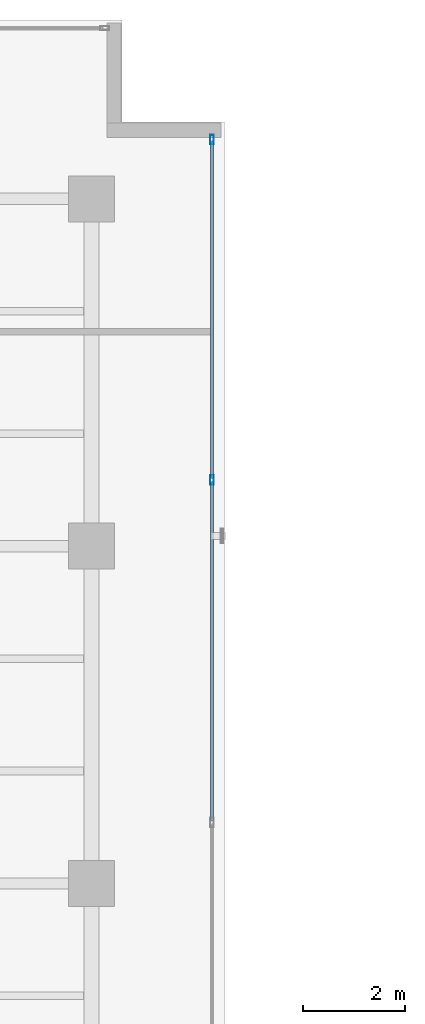
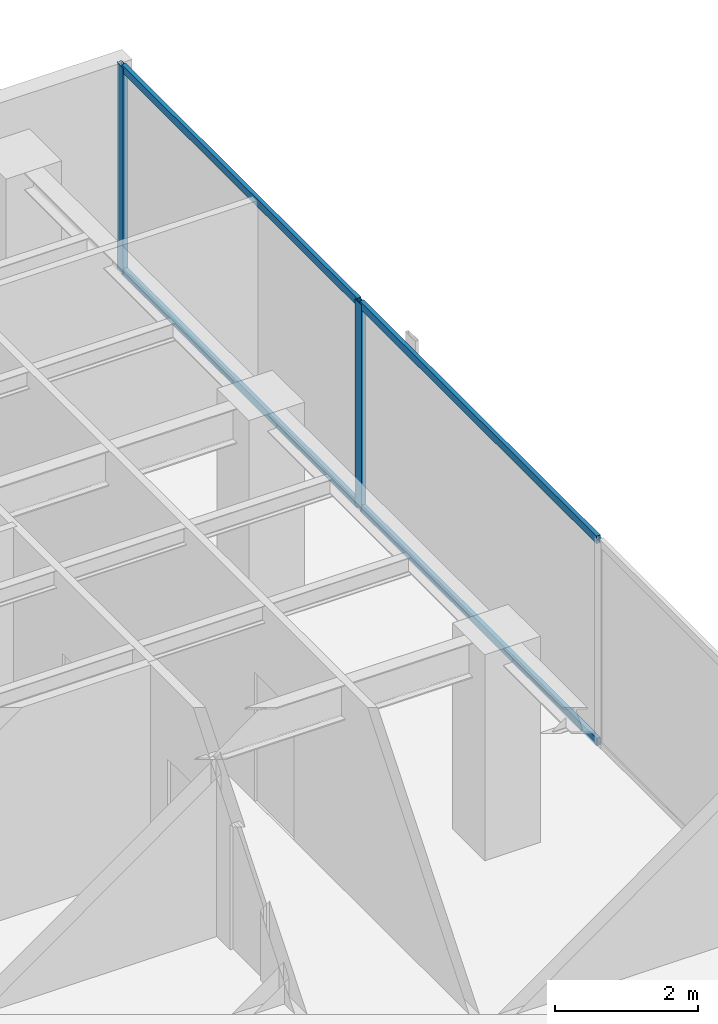
# One storey, part 23 of 32: 6 members, 1 element without a shape of its own.
"""IFC4 building model written with IfcOpenShell, lengths in metres."""

from ifc_helpers import new_model, si_unit, direction, frame, origin, origin_with_axes, origin_2d, place, context, subcontext, project, spatial, hollow_rectangle, extrude, source, transform, mapped, material, layer, layer_set, material_profile, profile_set, type_object, element, aggregate, save


model = new_model("IFC4")

# Units and contexts
model_context = context("Model", 3, precision=1e-05, world=origin(), true_north=direction((0.0, 1.0)))
body_context = subcontext(model_context, "Body", "Model", "MODEL_VIEW")
ifc_project = project(units=[si_unit("LENGTHUNIT", "METRE"), si_unit("AREAUNIT", "SQUARE_METRE"), si_unit("VOLUMEUNIT", "CUBIC_METRE"), si_unit("PLANEANGLEUNIT", "RADIAN"), si_unit("MASSUNIT", "GRAM", prefix="KILO")], contexts=[model_context])

# Site, building, storey
site_placement = place(None, origin())
site = spatial("IfcSite", under=ifc_project, at=site_placement, CompositionType="ELEMENT")
building_placement = place(site_placement, origin())
building = spatial("IfcBuilding", under=site, at=building_placement, Name="Kolvaren Waterfront Exchange", CompositionType="ELEMENT")
storey_placement = place(building_placement, frame((0.0, 0.0, 348.10009765625)))
storey = spatial("IfcBuildingStorey", under=building, at=storey_placement, Name="L89", CompositionType="ELEMENT", Elevation=348.10009765625)

# Curtain wall, members
ifc_material = material(Name="Anodised bronze aluminium 6063-T6", Category="aluminium")
ifc_layer = layer(ifc_material, 0.219970703125, Name="Anodised bronze aluminium 6063-T6")
ifc_layer_set = layer_set([ifc_layer], Name="Anodised bronze aluminium 6063-T6")
curtain_wall_type = type_object("IfcCurtainWallType", Name="ARC-CW-SYS5", PredefinedType="USERDEFINED", material=ifc_layer_set)
curtain_wall_placement = place(storey_placement, origin())
curtain_wall = element("IfcCurtainWall", 1, at=curtain_wall_placement, inside=storey, type_object=curtain_wall_type, Name="L89 stick curtain wall CW5 (CW-L89-NE)", ObjectType="STICK CURTAIN WALL", PredefinedType="USERDEFINED")
ifc_material_profile_1 = material_profile(ifc_material, hollow_rectangle(XDim=0.06494140625, YDim=0.1298828125, WallThickness=0.00390625, at=origin_2d()), Name="ALU-TRN-130x65x4")
ifc_profile_set_1 = profile_set([ifc_material_profile_1], Name="Anodised bronze aluminium 6063-T6")
member_type_1 = type_object("IfcMemberType", Name="ARC-CWT-130", PredefinedType="USERDEFINED", material=ifc_profile_set_1)
shared_shape_1 = source(origin_with_axes(), body_context, "Body", "SweptSolid", [
    extrude(hollow_rectangle(XDim=0.06494140625, YDim=0.1298828125, WallThickness=0.00390625, at=origin_2d()), origin(), (0.0, 0.0, 1.0), 6.5908203125),
])
member_1_placement = place(storey_placement, frame((21.159912109375, 39.13427734375, 0.032470703125), z_axis=(0.0, 1.0, 0.0), x_axis=(-1.0, 0.0, 0.0)))
member_1 = element("IfcMember", 2, at=member_1_placement, type_object=member_type_1, Name="CW5 transom 3.1", ObjectType="TRANSOM", PredefinedType="USERDEFINED", context=body_context, shape_type="MappedRepresentation", body=[
    mapped(shared_shape_1, transform((0.0, 0.0, 0.0), x_axis=(1.0, 0.0, 0.0), y_axis=(0.0, 1.0, 0.0), z_axis=(0.0, 0.0, 1.0), scale=1.0)),
])
member_2_placement = place(storey_placement, frame((21.159912109375, 39.13427734375, 3.4873046875), z_axis=(0.0, 1.0, 0.0), x_axis=(-1.0, 0.0, 0.0)))
member_2 = element("IfcMember", 3, at=member_2_placement, type_object=member_type_1, Name="CW5 transom 3.2", ObjectType="TRANSOM", PredefinedType="USERDEFINED", context=body_context, shape_type="MappedRepresentation", body=[
    mapped(shared_shape_1, transform((0.0, 0.0, 0.0), x_axis=(1.0, 0.0, 0.0), y_axis=(0.0, 1.0, 0.0), z_axis=(0.0, 0.0, 1.0), scale=1.0)),
])
shared_shape_2 = source(origin_with_axes(), body_context, "Body", "SweptSolid", [
    extrude(hollow_rectangle(XDim=0.06494140625, YDim=0.1298828125, WallThickness=0.00390625, at=origin_2d()), origin(), (0.0, 0.0, 1.0), 6.628173828125),
])
member_3_placement = place(storey_placement, frame((21.159912109375, 32.430908203125, 0.032470703125), z_axis=(0.0, 1.0, 0.0), x_axis=(-1.0, 0.0, 0.0)))
member_3 = element("IfcMember", 4, at=member_3_placement, type_object=member_type_1, Name="CW5 transom 2.1", ObjectType="TRANSOM", PredefinedType="USERDEFINED", context=body_context, shape_type="MappedRepresentation", body=[
    mapped(shared_shape_2, transform((0.0, 0.0, 0.0), x_axis=(1.0, 0.0, 0.0), y_axis=(0.0, 1.0, 0.0), z_axis=(0.0, 0.0, 1.0), scale=1.0)),
])
member_4_placement = place(storey_placement, frame((21.159912109375, 32.430908203125, 3.4873046875), z_axis=(0.0, 1.0, 0.0), x_axis=(-1.0, 0.0, 0.0)))
member_4 = element("IfcMember", 5, at=member_4_placement, type_object=member_type_1, Name="CW5 transom 2.2", ObjectType="TRANSOM", PredefinedType="USERDEFINED", context=body_context, shape_type="MappedRepresentation", body=[
    mapped(shared_shape_2, transform((0.0, 0.0, 0.0), x_axis=(1.0, 0.0, 0.0), y_axis=(0.0, 1.0, 0.0), z_axis=(0.0, 0.0, 1.0), scale=1.0)),
])
ifc_material_profile_2 = material_profile(ifc_material, hollow_rectangle(XDim=0.074951171875, YDim=0.179931640625, WallThickness=0.00439453125, at=origin_2d()), Name="ALU-MUL-180x75x4.5")
ifc_profile_set_2 = profile_set([ifc_material_profile_2], Name="Anodised bronze aluminium 6063-T6")
member_type_2 = type_object("IfcMemberType", Name="ARC-CWM-180", PredefinedType="MULLION", material=ifc_profile_set_2)
shared_shape_3 = source(origin_with_axes(), body_context, "Body", "SweptSolid", [
    extrude(hollow_rectangle(XDim=0.074951171875, YDim=0.179931640625, WallThickness=0.00439453125, at=origin_2d()), origin(), (0.0, 0.0, 1.0), 3.52001953125),
])
member_5_placement = place(storey_placement, frame((21.159912109375, 39.0966796875, 0.0), z_axis=(0.0, 0.0, 1.0), x_axis=(-1.0, 0.0, 0.0)))
member_5 = element("IfcMember", 6, at=member_5_placement, type_object=member_type_2, Name="CW5 mullion 3", PredefinedType="MULLION", context=body_context, shape_type="MappedRepresentation", body=[
    mapped(shared_shape_3, transform((0.0, 0.0, 0.0), x_axis=(1.0, 0.0, 0.0), y_axis=(0.0, 1.0, 0.0), z_axis=(0.0, 0.0, 1.0), scale=1.0)),
])
member_6_placement = place(storey_placement, frame((21.159912109375, 45.762451171875, 0.0), z_axis=(0.0, 0.0, 1.0), x_axis=(-1.0, 0.0, 0.0)))
member_6 = element("IfcMember", 7, at=member_6_placement, type_object=member_type_2, Name="CW5 mullion 4", PredefinedType="MULLION", context=body_context, shape_type="MappedRepresentation", body=[
    mapped(shared_shape_3, transform((0.0, 0.0, 0.0), x_axis=(1.0, 0.0, 0.0), y_axis=(0.0, 1.0, 0.0), z_axis=(0.0, 0.0, 1.0), scale=1.0)),
])
aggregate(curtain_wall, [member_5, member_6, member_3, member_4, member_1, member_2])

save(model, "model.ifc")
